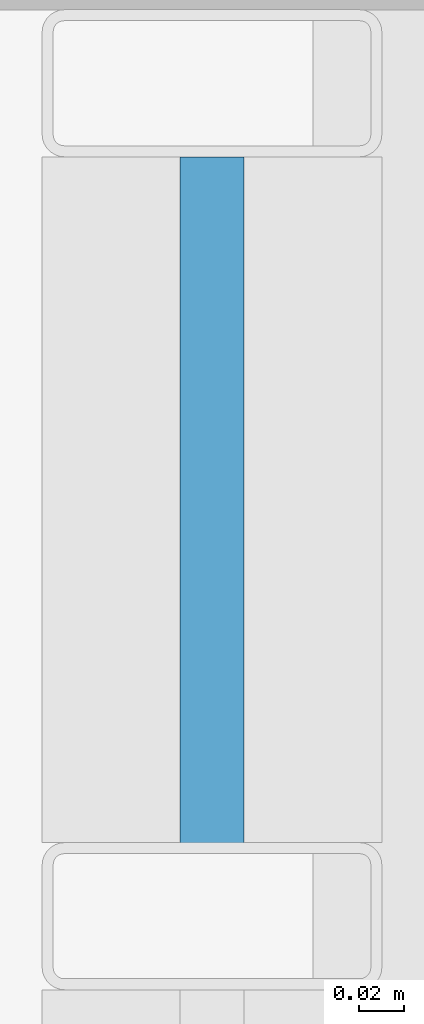
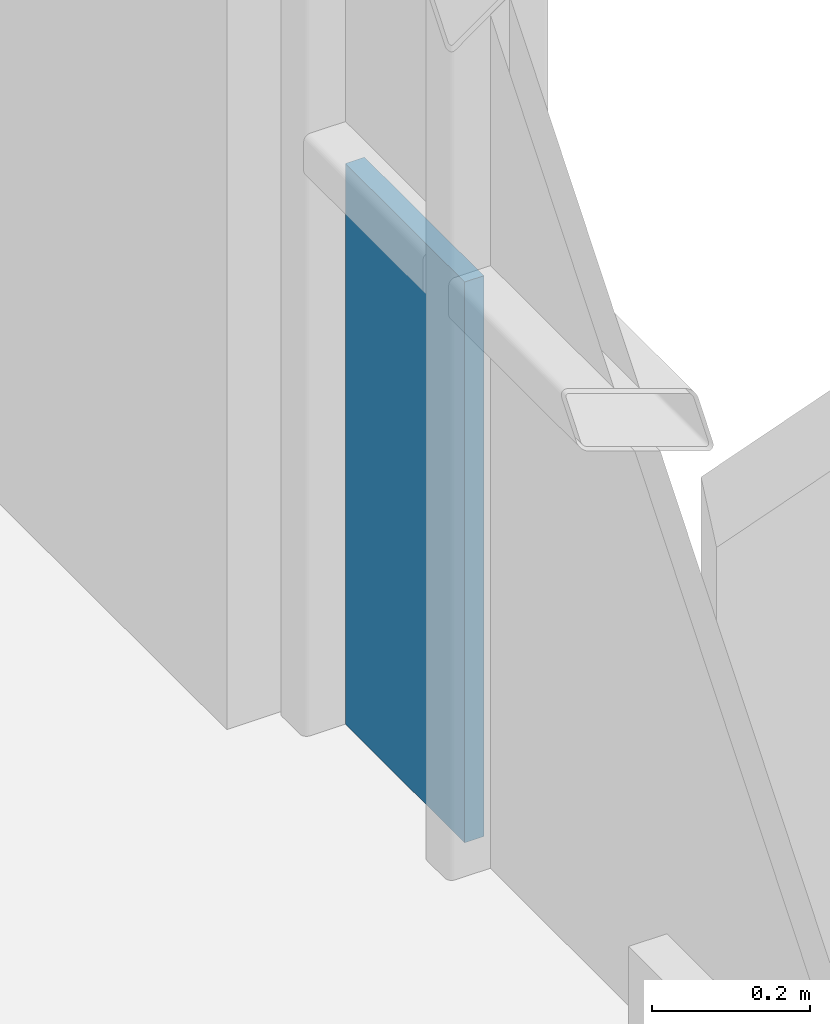
# One storey, part 26 of 38: 1 plate, 1 element without a shape of its own.
"""IFC4 building model written with IfcOpenShell, lengths in metres."""

from ifc_helpers import new_model, si_unit, direction, frame, origin, origin_2d, place, context, subcontext, project, spatial, rectangle, extrude, material, layer, layer_set, type_object, element, aggregate, save


model = new_model("IFC4")

# Units and contexts
model_context = context("Model", 3, precision=1e-05, world=origin(), true_north=direction((0.0, 1.0)))
body_context = subcontext(model_context, "Body", "Model", "MODEL_VIEW")
ifc_project = project(units=[si_unit("LENGTHUNIT", "METRE"), si_unit("AREAUNIT", "SQUARE_METRE"), si_unit("VOLUMEUNIT", "CUBIC_METRE"), si_unit("PLANEANGLEUNIT", "RADIAN"), si_unit("MASSUNIT", "GRAM", prefix="KILO")], contexts=[model_context])

# Site, building, storey
site_placement = place(None, origin())
site = spatial("IfcSite", under=ifc_project, at=site_placement, CompositionType="ELEMENT")
building_placement = place(site_placement, origin())
building = spatial("IfcBuilding", under=site, at=building_placement, Name="Brevholm Reach", CompositionType="ELEMENT")
storey_placement = place(building_placement, frame((0.0, 0.0, 28.0)))
storey = spatial("IfcBuildingStorey", under=building, at=storey_placement, Name="L06", CompositionType="ELEMENT", Elevation=28.0)

# Curtain wall, plate
ifc_material_1 = material(Name="Dark Anodised Aluminium 6063-T6 and Solar-Control Glass", Category="aluminium")
ifc_layer_1 = layer(ifc_material_1, 0.14990234375)
ifc_layer_set_1 = layer_set([ifc_layer_1], Name="Dark Anodised Aluminium 6063-T6 and Solar-Control Glass")
curtain_wall_type = type_object("IfcCurtainWallType", Name="CW-01", PredefinedType="NOTDEFINED", material=ifc_layer_set_1)
curtain_wall_placement = place(storey_placement, origin())
curtain_wall = element("IfcCurtainWall", 1, at=curtain_wall_placement, inside=storey, type_object=curtain_wall_type, Name="L06 Curtain Wall CW-01", PredefinedType="NOTDEFINED")
ifc_material_2 = material(Name="Dark Solar-Control Double-Glazed IGU Glass", Category="glass")
ifc_layer_2 = layer(ifc_material_2, 0.028076171875)
ifc_layer_set_2 = layer_set([ifc_layer_2], Name="Dark Solar-Control Double-Glazed IGU Glass")
plate_type = type_object("IfcPlateType", Name="CWP-GLZ-28", PredefinedType="CURTAIN_PANEL", material=ifc_layer_set_2)
plate_placement = place(storey_placement, frame((59.85009765625, 22.733642578125, 0.0), z_axis=(0.0, 0.0, 1.0), x_axis=(0.0, 1.0, 0.0)))
plate = element("IfcPlate", 2, at=plate_placement, type_object=plate_type, Name="CP-01 Glazing Panel 5.1", PredefinedType="CURTAIN_PANEL", context=body_context, shape_type="SweptSolid", body=[
    extrude(rectangle(XDim=0.302490234375, YDim=0.028076171875, at=origin_2d()), origin(), (0.0, 0.0, 1.0), 0.867431640625),
])
aggregate(curtain_wall, [plate])

save(model, "model.ifc")
